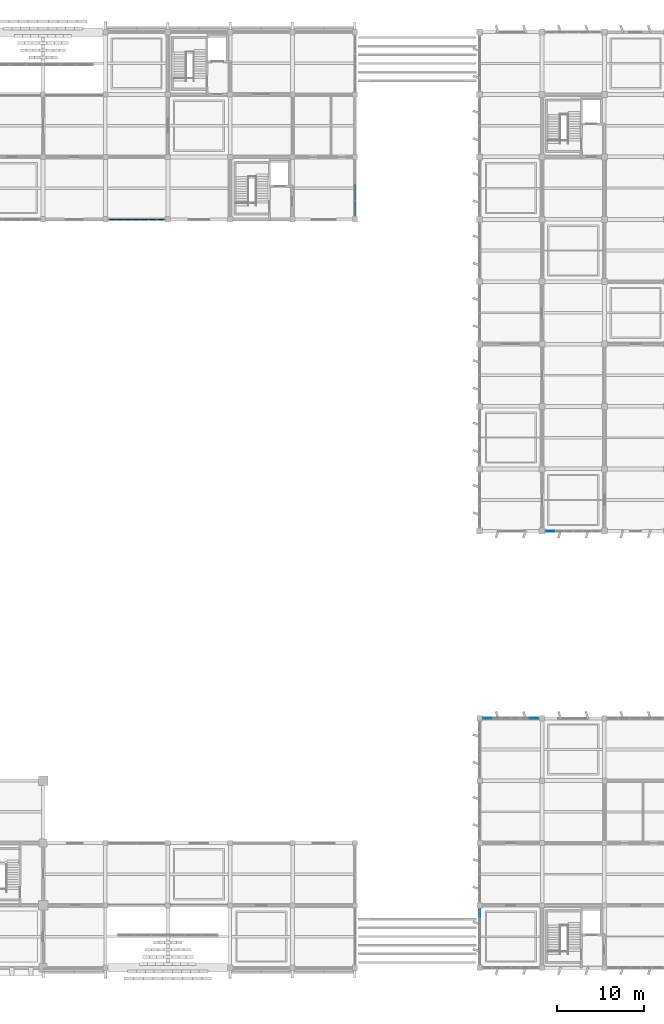
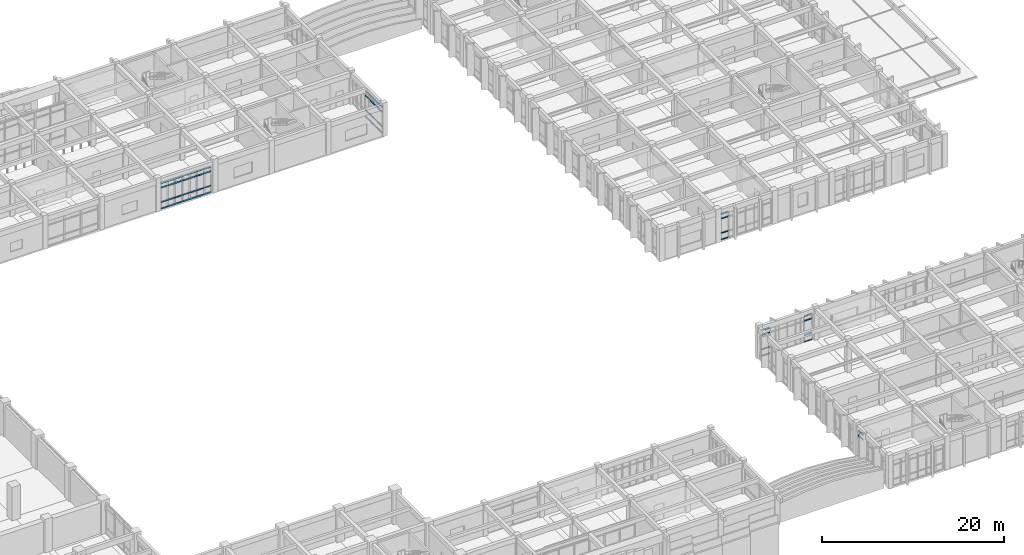
# One storey, part 36 of 81: 58 members, 5 elements without a shape of their own.
"""IFC4 building model written with IfcOpenShell, lengths in metres."""

from ifc_helpers import new_model, si_unit, direction, frame, origin, origin_2d, place, context, subcontext, project, spatial, rectangle, extrude, material, layer, layer_set, material_profile, profile_set, type_object, element, aggregate, save


model = new_model("IFC4")

# Units and contexts
model_context = context("Model", 3, precision=1e-05, world=origin(), true_north=direction((0.0, 1.0)))
body_context = subcontext(model_context, "Body", "Model", "MODEL_VIEW")
ifc_project = project(units=[si_unit("LENGTHUNIT", "METRE"), si_unit("AREAUNIT", "SQUARE_METRE"), si_unit("VOLUMEUNIT", "CUBIC_METRE"), si_unit("PLANEANGLEUNIT", "RADIAN"), si_unit("MASSUNIT", "GRAM", prefix="KILO")], contexts=[model_context])

# Site, building, storey
site_placement = place(None, origin())
site = spatial("IfcSite", under=ifc_project, at=site_placement, CompositionType="ELEMENT")
building_placement = place(site_placement, origin())
building = spatial("IfcBuilding", under=site, at=building_placement, Name="Kavelor Marine Aquarium", CompositionType="ELEMENT")
storey_placement = place(building_placement, frame((0.0, 0.0, 4.679931640625)))
storey = spatial("IfcBuildingStorey", under=building, at=storey_placement, Name="L01", CompositionType="ELEMENT", Elevation=4.679931640625)

# Curtain wall, members
ifc_material_1 = material(Name="Thermally Broken Aluminium and Low-E Glass", Category="aluminium")
ifc_layer_1 = layer(ifc_material_1, 0.14794921875)
ifc_layer_set_1 = layer_set([ifc_layer_1], Name="CW-SYS1")
curtain_wall_type_1 = type_object("IfcCurtainWallType", Name="CW-SYS1", PredefinedType="USERDEFINED", material=ifc_layer_set_1)
curtain_wall_1_placement = place(storey_placement, origin())
curtain_wall_1 = element("IfcCurtainWall", 1, at=curtain_wall_1_placement, inside=storey, type_object=curtain_wall_type_1, Name="cw:x:L01:10_12", ObjectType="Curtain Wall", PredefinedType="USERDEFINED")
ifc_material_2 = material(Name="Anodised Aluminium Alloy 6063-T6", Category="aluminium")
ifc_material_profile_1 = material_profile(ifc_material_2, rectangle(XDim=0.074951171875, YDim=0.14990234375, at=origin_2d()), Name="CW-TRN 75x150")
ifc_profile_set_1 = profile_set([ifc_material_profile_1], Name="Anodised Aluminium Alloy 6063-T6")
member_type_1 = type_object("IfcMemberType", Name="CWT-1", PredefinedType="USERDEFINED", material=ifc_profile_set_1)
member_1_placement = place(storey_placement, frame((81.97998046875, 89.199951171875, 0.03759765625), z_axis=(-1.0, 0.0, 0.0), x_axis=(0.0, -1.0, 0.0)))
member_1 = element("IfcMember", 2, at=member_1_placement, type_object=member_type_1, Name="CW01 transom 1.1", ObjectType="TRANSOM", PredefinedType="USERDEFINED", context=body_context, shape_type="SweptSolid", body=[
    extrude(rectangle(XDim=0.074951171875, YDim=0.14990234375, at=origin_2d()), origin(), (0.0, 0.0, 1.0), 0.8173828125),
])
member_2_placement = place(storey_placement, frame((81.97998046875, 89.199951171875, 0.900146484375), z_axis=(-1.0, 0.0, 0.0), x_axis=(0.0, -1.0, 0.0)))
member_2 = element("IfcMember", 3, at=member_2_placement, type_object=member_type_1, Name="CW01 transom 1.2", ObjectType="TRANSOM", PredefinedType="USERDEFINED", context=body_context, shape_type="SweptSolid", body=[
    extrude(rectangle(XDim=0.074951171875, YDim=0.14990234375, at=origin_2d()), origin(), (0.0, 0.0, 1.0), 0.8173828125),
])
member_3_placement = place(storey_placement, frame((81.97998046875, 89.199951171875, 2.840087890625), z_axis=(-1.0, 0.0, 0.0), x_axis=(0.0, -1.0, 0.0)))
member_3 = element("IfcMember", 4, at=member_3_placement, type_object=member_type_1, Name="CW01 transom 1.3", ObjectType="TRANSOM", PredefinedType="USERDEFINED", context=body_context, shape_type="SweptSolid", body=[
    extrude(rectangle(XDim=0.074951171875, YDim=0.14990234375, at=origin_2d()), origin(), (0.0, 0.0, 1.0), 0.8173828125),
])
member_4_placement = place(storey_placement, frame((81.97998046875, 89.199951171875, 3.45263671875), z_axis=(-1.0, 0.0, 0.0), x_axis=(0.0, -1.0, 0.0)))
member_4 = element("IfcMember", 5, at=member_4_placement, type_object=member_type_1, Name="CW01 transom 1.4", ObjectType="TRANSOM", PredefinedType="USERDEFINED", context=body_context, shape_type="SweptSolid", body=[
    extrude(rectangle(XDim=0.074951171875, YDim=0.14990234375, at=origin_2d()), origin(), (0.0, 0.0, 1.0), 0.8173828125),
])
member_5_placement = place(storey_placement, frame((81.08740234375, 89.199951171875, 0.03759765625), z_axis=(-1.0, 0.0, 0.0), x_axis=(0.0, -1.0, 0.0)))
member_5 = element("IfcMember", 6, at=member_5_placement, type_object=member_type_1, Name="CW01 transom 2.1", ObjectType="TRANSOM", PredefinedType="USERDEFINED", context=body_context, shape_type="SweptSolid", body=[
    extrude(rectangle(XDim=0.074951171875, YDim=0.14990234375, at=origin_2d()), origin(), (0.0, 0.0, 1.0), 0.85498046875),
])
member_6_placement = place(storey_placement, frame((81.08740234375, 89.199951171875, 0.900146484375), z_axis=(-1.0, 0.0, 0.0), x_axis=(0.0, -1.0, 0.0)))
member_6 = element("IfcMember", 7, at=member_6_placement, type_object=member_type_1, Name="CW01 transom 2.2", ObjectType="TRANSOM", PredefinedType="USERDEFINED", context=body_context, shape_type="SweptSolid", body=[
    extrude(rectangle(XDim=0.074951171875, YDim=0.14990234375, at=origin_2d()), origin(), (0.0, 0.0, 1.0), 0.85498046875),
])
member_7_placement = place(storey_placement, frame((81.08740234375, 89.199951171875, 2.840087890625), z_axis=(-1.0, 0.0, 0.0), x_axis=(0.0, -1.0, 0.0)))
member_7 = element("IfcMember", 8, at=member_7_placement, type_object=member_type_1, Name="CW01 transom 2.3", ObjectType="TRANSOM", PredefinedType="USERDEFINED", context=body_context, shape_type="SweptSolid", body=[
    extrude(rectangle(XDim=0.074951171875, YDim=0.14990234375, at=origin_2d()), origin(), (0.0, 0.0, 1.0), 0.85498046875),
])
member_8_placement = place(storey_placement, frame((81.08740234375, 89.199951171875, 3.45263671875), z_axis=(-1.0, 0.0, 0.0), x_axis=(0.0, -1.0, 0.0)))
member_8 = element("IfcMember", 9, at=member_8_placement, type_object=member_type_1, Name="CW01 transom 2.4", ObjectType="TRANSOM", PredefinedType="USERDEFINED", context=body_context, shape_type="SweptSolid", body=[
    extrude(rectangle(XDim=0.074951171875, YDim=0.14990234375, at=origin_2d()), origin(), (0.0, 0.0, 1.0), 0.85498046875),
])
member_9_placement = place(storey_placement, frame((80.157470703125, 89.199951171875, 0.03759765625), z_axis=(-1.0, 0.0, 0.0), x_axis=(0.0, -1.0, 0.0)))
member_9 = element("IfcMember", 10, at=member_9_placement, type_object=member_type_1, Name="CW01 transom 3.1", ObjectType="TRANSOM", PredefinedType="USERDEFINED", context=body_context, shape_type="SweptSolid", body=[
    extrude(rectangle(XDim=0.074951171875, YDim=0.14990234375, at=origin_2d()), origin(), (0.0, 0.0, 1.0), 0.85498046875),
])
member_10_placement = place(storey_placement, frame((80.157470703125, 89.199951171875, 0.900146484375), z_axis=(-1.0, 0.0, 0.0), x_axis=(0.0, -1.0, 0.0)))
member_10 = element("IfcMember", 11, at=member_10_placement, type_object=member_type_1, Name="CW01 transom 3.2", ObjectType="TRANSOM", PredefinedType="USERDEFINED", context=body_context, shape_type="SweptSolid", body=[
    extrude(rectangle(XDim=0.074951171875, YDim=0.14990234375, at=origin_2d()), origin(), (0.0, 0.0, 1.0), 0.85498046875),
])
member_11_placement = place(storey_placement, frame((80.157470703125, 89.199951171875, 2.840087890625), z_axis=(-1.0, 0.0, 0.0), x_axis=(0.0, -1.0, 0.0)))
member_11 = element("IfcMember", 12, at=member_11_placement, type_object=member_type_1, Name="CW01 transom 3.3", ObjectType="TRANSOM", PredefinedType="USERDEFINED", context=body_context, shape_type="SweptSolid", body=[
    extrude(rectangle(XDim=0.074951171875, YDim=0.14990234375, at=origin_2d()), origin(), (0.0, 0.0, 1.0), 0.85498046875),
])
member_12_placement = place(storey_placement, frame((80.157470703125, 89.199951171875, 3.45263671875), z_axis=(-1.0, 0.0, 0.0), x_axis=(0.0, -1.0, 0.0)))
member_12 = element("IfcMember", 13, at=member_12_placement, type_object=member_type_1, Name="CW01 transom 3.4", ObjectType="TRANSOM", PredefinedType="USERDEFINED", context=body_context, shape_type="SweptSolid", body=[
    extrude(rectangle(XDim=0.074951171875, YDim=0.14990234375, at=origin_2d()), origin(), (0.0, 0.0, 1.0), 0.85498046875),
])
member_13_placement = place(storey_placement, frame((79.2275390625, 89.199951171875, 0.03759765625), z_axis=(-1.0, 0.0, 0.0), x_axis=(0.0, -1.0, 0.0)))
member_13 = element("IfcMember", 14, at=member_13_placement, type_object=member_type_1, Name="CW01 transom 4.1", ObjectType="TRANSOM", PredefinedType="USERDEFINED", context=body_context, shape_type="SweptSolid", body=[
    extrude(rectangle(XDim=0.074951171875, YDim=0.14990234375, at=origin_2d()), origin(), (0.0, 0.0, 1.0), 0.85498046875),
])
member_14_placement = place(storey_placement, frame((79.2275390625, 89.199951171875, 0.900146484375), z_axis=(-1.0, 0.0, 0.0), x_axis=(0.0, -1.0, 0.0)))
member_14 = element("IfcMember", 15, at=member_14_placement, type_object=member_type_1, Name="CW01 transom 4.2", ObjectType="TRANSOM", PredefinedType="USERDEFINED", context=body_context, shape_type="SweptSolid", body=[
    extrude(rectangle(XDim=0.074951171875, YDim=0.14990234375, at=origin_2d()), origin(), (0.0, 0.0, 1.0), 0.85498046875),
])
member_15_placement = place(storey_placement, frame((79.2275390625, 89.199951171875, 2.840087890625), z_axis=(-1.0, 0.0, 0.0), x_axis=(0.0, -1.0, 0.0)))
member_15 = element("IfcMember", 16, at=member_15_placement, type_object=member_type_1, Name="CW01 transom 4.3", ObjectType="TRANSOM", PredefinedType="USERDEFINED", context=body_context, shape_type="SweptSolid", body=[
    extrude(rectangle(XDim=0.074951171875, YDim=0.14990234375, at=origin_2d()), origin(), (0.0, 0.0, 1.0), 0.85498046875),
])
member_16_placement = place(storey_placement, frame((79.2275390625, 89.199951171875, 3.45263671875), z_axis=(-1.0, 0.0, 0.0), x_axis=(0.0, -1.0, 0.0)))
member_16 = element("IfcMember", 17, at=member_16_placement, type_object=member_type_1, Name="CW01 transom 4.4", ObjectType="TRANSOM", PredefinedType="USERDEFINED", context=body_context, shape_type="SweptSolid", body=[
    extrude(rectangle(XDim=0.074951171875, YDim=0.14990234375, at=origin_2d()), origin(), (0.0, 0.0, 1.0), 0.85498046875),
])
member_17_placement = place(storey_placement, frame((78.297607421875, 89.199951171875, 0.03759765625), z_axis=(-1.0, 0.0, 0.0), x_axis=(0.0, -1.0, 0.0)))
member_17 = element("IfcMember", 18, at=member_17_placement, type_object=member_type_1, Name="CW01 transom 5.1", ObjectType="TRANSOM", PredefinedType="USERDEFINED", context=body_context, shape_type="SweptSolid", body=[
    extrude(rectangle(XDim=0.074951171875, YDim=0.14990234375, at=origin_2d()), origin(), (0.0, 0.0, 1.0), 0.855224609375),
])
member_18_placement = place(storey_placement, frame((78.297607421875, 89.199951171875, 0.900146484375), z_axis=(-1.0, 0.0, 0.0), x_axis=(0.0, -1.0, 0.0)))
member_18 = element("IfcMember", 19, at=member_18_placement, type_object=member_type_1, Name="CW01 transom 5.2", ObjectType="TRANSOM", PredefinedType="USERDEFINED", context=body_context, shape_type="SweptSolid", body=[
    extrude(rectangle(XDim=0.074951171875, YDim=0.14990234375, at=origin_2d()), origin(), (0.0, 0.0, 1.0), 0.855224609375),
])
member_19_placement = place(storey_placement, frame((78.297607421875, 89.199951171875, 2.840087890625), z_axis=(-1.0, 0.0, 0.0), x_axis=(0.0, -1.0, 0.0)))
member_19 = element("IfcMember", 20, at=member_19_placement, type_object=member_type_1, Name="CW01 transom 5.3", ObjectType="TRANSOM", PredefinedType="USERDEFINED", context=body_context, shape_type="SweptSolid", body=[
    extrude(rectangle(XDim=0.074951171875, YDim=0.14990234375, at=origin_2d()), origin(), (0.0, 0.0, 1.0), 0.855224609375),
])
member_20_placement = place(storey_placement, frame((78.297607421875, 89.199951171875, 3.45263671875), z_axis=(-1.0, 0.0, 0.0), x_axis=(0.0, -1.0, 0.0)))
member_20 = element("IfcMember", 21, at=member_20_placement, type_object=member_type_1, Name="CW01 transom 5.4", ObjectType="TRANSOM", PredefinedType="USERDEFINED", context=body_context, shape_type="SweptSolid", body=[
    extrude(rectangle(XDim=0.074951171875, YDim=0.14990234375, at=origin_2d()), origin(), (0.0, 0.0, 1.0), 0.855224609375),
])
member_21_placement = place(storey_placement, frame((77.367431640625, 89.199951171875, 0.03759765625), z_axis=(-1.0, 0.0, 0.0), x_axis=(0.0, -1.0, 0.0)))
member_21 = element("IfcMember", 22, at=member_21_placement, type_object=member_type_1, Name="CW01 transom 6.1", ObjectType="TRANSOM", PredefinedType="USERDEFINED", context=body_context, shape_type="SweptSolid", body=[
    extrude(rectangle(XDim=0.074951171875, YDim=0.14990234375, at=origin_2d()), origin(), (0.0, 0.0, 1.0), 0.85498046875),
])
member_22_placement = place(storey_placement, frame((77.367431640625, 89.199951171875, 0.900146484375), z_axis=(-1.0, 0.0, 0.0), x_axis=(0.0, -1.0, 0.0)))
member_22 = element("IfcMember", 23, at=member_22_placement, type_object=member_type_1, Name="CW01 transom 6.2", ObjectType="TRANSOM", PredefinedType="USERDEFINED", context=body_context, shape_type="SweptSolid", body=[
    extrude(rectangle(XDim=0.074951171875, YDim=0.14990234375, at=origin_2d()), origin(), (0.0, 0.0, 1.0), 0.85498046875),
])
member_23_placement = place(storey_placement, frame((77.367431640625, 89.199951171875, 2.840087890625), z_axis=(-1.0, 0.0, 0.0), x_axis=(0.0, -1.0, 0.0)))
member_23 = element("IfcMember", 24, at=member_23_placement, type_object=member_type_1, Name="CW01 transom 6.3", ObjectType="TRANSOM", PredefinedType="USERDEFINED", context=body_context, shape_type="SweptSolid", body=[
    extrude(rectangle(XDim=0.074951171875, YDim=0.14990234375, at=origin_2d()), origin(), (0.0, 0.0, 1.0), 0.85498046875),
])
member_24_placement = place(storey_placement, frame((77.367431640625, 89.199951171875, 3.45263671875), z_axis=(-1.0, 0.0, 0.0), x_axis=(0.0, -1.0, 0.0)))
member_24 = element("IfcMember", 25, at=member_24_placement, type_object=member_type_1, Name="CW01 transom 6.4", ObjectType="TRANSOM", PredefinedType="USERDEFINED", context=body_context, shape_type="SweptSolid", body=[
    extrude(rectangle(XDim=0.074951171875, YDim=0.14990234375, at=origin_2d()), origin(), (0.0, 0.0, 1.0), 0.85498046875),
])
member_25_placement = place(storey_placement, frame((76.4375, 89.199951171875, 0.03759765625), z_axis=(-1.0, 0.0, 0.0), x_axis=(0.0, -1.0, 0.0)))
member_25 = element("IfcMember", 26, at=member_25_placement, type_object=member_type_1, Name="CW01 transom 7.1", ObjectType="TRANSOM", PredefinedType="USERDEFINED", context=body_context, shape_type="SweptSolid", body=[
    extrude(rectangle(XDim=0.074951171875, YDim=0.14990234375, at=origin_2d()), origin(), (0.0, 0.0, 1.0), 0.8173828125),
])
member_26_placement = place(storey_placement, frame((76.4375, 89.199951171875, 0.900146484375), z_axis=(-1.0, 0.0, 0.0), x_axis=(0.0, -1.0, 0.0)))
member_26 = element("IfcMember", 27, at=member_26_placement, type_object=member_type_1, Name="CW01 transom 7.2", ObjectType="TRANSOM", PredefinedType="USERDEFINED", context=body_context, shape_type="SweptSolid", body=[
    extrude(rectangle(XDim=0.074951171875, YDim=0.14990234375, at=origin_2d()), origin(), (0.0, 0.0, 1.0), 0.8173828125),
])
member_27_placement = place(storey_placement, frame((76.4375, 89.199951171875, 2.840087890625), z_axis=(-1.0, 0.0, 0.0), x_axis=(0.0, -1.0, 0.0)))
member_27 = element("IfcMember", 28, at=member_27_placement, type_object=member_type_1, Name="CW01 transom 7.3", ObjectType="TRANSOM", PredefinedType="USERDEFINED", context=body_context, shape_type="SweptSolid", body=[
    extrude(rectangle(XDim=0.074951171875, YDim=0.14990234375, at=origin_2d()), origin(), (0.0, 0.0, 1.0), 0.8173828125),
])
member_28_placement = place(storey_placement, frame((76.4375, 89.199951171875, 3.45263671875), z_axis=(-1.0, 0.0, 0.0), x_axis=(0.0, -1.0, 0.0)))
member_28 = element("IfcMember", 29, at=member_28_placement, type_object=member_type_1, Name="CW01 transom 7.4", ObjectType="TRANSOM", PredefinedType="USERDEFINED", context=body_context, shape_type="SweptSolid", body=[
    extrude(rectangle(XDim=0.074951171875, YDim=0.14990234375, at=origin_2d()), origin(), (0.0, 0.0, 1.0), 0.8173828125),
])
aggregate(curtain_wall_1, [member_1, member_2, member_3, member_4, member_5, member_6, member_7, member_8, member_9, member_10, member_11, member_12, member_13, member_14, member_15, member_16, member_17, member_18, member_19, member_20, member_21, member_22, member_23, member_24, member_25, member_26, member_27, member_28])

ifc_material_3 = material(Name="Thermally Broken Aluminium and Low-E Glass", Category="aluminium")
ifc_layer_2 = layer(ifc_material_3, 0.156005859375)
ifc_layer_set_2 = layer_set([ifc_layer_2], Name="CW-SYS2")
curtain_wall_type_2 = type_object("IfcCurtainWallType", Name="CW-SYS2", PredefinedType="USERDEFINED", material=ifc_layer_set_2)
curtain_wall_2_placement = place(storey_placement, origin())
curtain_wall_2 = element("IfcCurtainWall", 30, at=curtain_wall_2_placement, inside=storey, type_object=curtain_wall_type_2, Name="cw:y:L01:14_12", ObjectType="Curtain Wall", PredefinedType="USERDEFINED")
ifc_material_4 = material(Name="Anodised Aluminium Alloy 6063-T6", Category="aluminium")
ifc_material_profile_2 = material_profile(ifc_material_4, rectangle(XDim=0.080078125, YDim=0.155029296875, at=origin_2d()), Name="CW-TRN 80x155")
ifc_profile_set_2 = profile_set([ifc_material_profile_2], Name="Anodised Aluminium Alloy 6063-T6")
member_type_2 = type_object("IfcMemberType", Name="CWT-2", PredefinedType="USERDEFINED", material=ifc_profile_set_2)
member_29_placement = place(storey_placement, frame((104.0, 89.610107421875, 0.032470703125), z_axis=(0.0, 1.0, 0.0), x_axis=(-1.0, 0.0, 0.0)))
member_29 = element("IfcMember", 31, at=member_29_placement, type_object=member_type_2, Name="CW02 transom 1.1", ObjectType="TRANSOM", PredefinedType="USERDEFINED", context=body_context, shape_type="SweptSolid", body=[
    extrude(rectangle(XDim=0.080078125, YDim=0.155029296875, at=origin_2d()), origin(), (0.0, 0.0, 1.0), 0.832275390625),
])
member_30_placement = place(storey_placement, frame((104.0, 89.610107421875, 0.900146484375), z_axis=(0.0, 1.0, 0.0), x_axis=(-1.0, 0.0, 0.0)))
member_30 = element("IfcMember", 32, at=member_30_placement, type_object=member_type_2, Name="CW02 transom 1.2", ObjectType="TRANSOM", PredefinedType="USERDEFINED", context=body_context, shape_type="SweptSolid", body=[
    extrude(rectangle(XDim=0.080078125, YDim=0.155029296875, at=origin_2d()), origin(), (0.0, 0.0, 1.0), 0.832275390625),
])
member_31_placement = place(storey_placement, frame((104.0, 89.610107421875, 2.860107421875), z_axis=(0.0, 1.0, 0.0), x_axis=(-1.0, 0.0, 0.0)))
member_31 = element("IfcMember", 33, at=member_31_placement, type_object=member_type_2, Name="CW02 transom 1.3", ObjectType="TRANSOM", PredefinedType="USERDEFINED", context=body_context, shape_type="SweptSolid", body=[
    extrude(rectangle(XDim=0.080078125, YDim=0.155029296875, at=origin_2d()), origin(), (0.0, 0.0, 1.0), 0.832275390625),
])
member_32_placement = place(storey_placement, frame((104.0, 89.610107421875, 3.4775390625), z_axis=(0.0, 1.0, 0.0), x_axis=(-1.0, 0.0, 0.0)))
member_32 = element("IfcMember", 34, at=member_32_placement, type_object=member_type_2, Name="CW02 transom 1.4", ObjectType="TRANSOM", PredefinedType="USERDEFINED", context=body_context, shape_type="SweptSolid", body=[
    extrude(rectangle(XDim=0.080078125, YDim=0.155029296875, at=origin_2d()), origin(), (0.0, 0.0, 1.0), 0.832275390625),
])
member_33_placement = place(storey_placement, frame((104.0, 90.507568359375, 0.032470703125), z_axis=(0.0, 1.0, 0.0), x_axis=(-1.0, 0.0, 0.0)))
member_33 = element("IfcMember", 35, at=member_33_placement, type_object=member_type_2, Name="CW02 transom 2.1", ObjectType="TRANSOM", PredefinedType="USERDEFINED", context=body_context, shape_type="SweptSolid", body=[
    extrude(rectangle(XDim=0.080078125, YDim=0.155029296875, at=origin_2d()), origin(), (0.0, 0.0, 1.0), 0.864990234375),
])
member_34_placement = place(storey_placement, frame((104.0, 90.507568359375, 0.900146484375), z_axis=(0.0, 1.0, 0.0), x_axis=(-1.0, 0.0, 0.0)))
member_34 = element("IfcMember", 36, at=member_34_placement, type_object=member_type_2, Name="CW02 transom 2.2", ObjectType="TRANSOM", PredefinedType="USERDEFINED", context=body_context, shape_type="SweptSolid", body=[
    extrude(rectangle(XDim=0.080078125, YDim=0.155029296875, at=origin_2d()), origin(), (0.0, 0.0, 1.0), 0.864990234375),
])
member_35_placement = place(storey_placement, frame((104.0, 90.507568359375, 2.860107421875), z_axis=(0.0, 1.0, 0.0), x_axis=(-1.0, 0.0, 0.0)))
member_35 = element("IfcMember", 37, at=member_35_placement, type_object=member_type_2, Name="CW02 transom 2.3", ObjectType="TRANSOM", PredefinedType="USERDEFINED", context=body_context, shape_type="SweptSolid", body=[
    extrude(rectangle(XDim=0.080078125, YDim=0.155029296875, at=origin_2d()), origin(), (0.0, 0.0, 1.0), 0.864990234375),
])
member_36_placement = place(storey_placement, frame((104.0, 90.507568359375, 3.4775390625), z_axis=(0.0, 1.0, 0.0), x_axis=(-1.0, 0.0, 0.0)))
member_36 = element("IfcMember", 38, at=member_36_placement, type_object=member_type_2, Name="CW02 transom 2.4", ObjectType="TRANSOM", PredefinedType="USERDEFINED", context=body_context, shape_type="SweptSolid", body=[
    extrude(rectangle(XDim=0.080078125, YDim=0.155029296875, at=origin_2d()), origin(), (0.0, 0.0, 1.0), 0.864990234375),
])
member_37_placement = place(storey_placement, frame((104.0, 91.4375, 0.032470703125), z_axis=(0.0, 1.0, 0.0), x_axis=(-1.0, 0.0, 0.0)))
member_37 = element("IfcMember", 39, at=member_37_placement, type_object=member_type_2, Name="CW02 transom 3.1", ObjectType="TRANSOM", PredefinedType="USERDEFINED", context=body_context, shape_type="SweptSolid", body=[
    extrude(rectangle(XDim=0.080078125, YDim=0.155029296875, at=origin_2d()), origin(), (0.0, 0.0, 1.0), 0.864990234375),
])
member_38_placement = place(storey_placement, frame((104.0, 91.4375, 0.900146484375), z_axis=(0.0, 1.0, 0.0), x_axis=(-1.0, 0.0, 0.0)))
member_38 = element("IfcMember", 40, at=member_38_placement, type_object=member_type_2, Name="CW02 transom 3.2", ObjectType="TRANSOM", PredefinedType="USERDEFINED", context=body_context, shape_type="SweptSolid", body=[
    extrude(rectangle(XDim=0.080078125, YDim=0.155029296875, at=origin_2d()), origin(), (0.0, 0.0, 1.0), 0.864990234375),
])
member_39_placement = place(storey_placement, frame((104.0, 91.4375, 2.860107421875), z_axis=(0.0, 1.0, 0.0), x_axis=(-1.0, 0.0, 0.0)))
member_39 = element("IfcMember", 41, at=member_39_placement, type_object=member_type_2, Name="CW02 transom 3.3", ObjectType="TRANSOM", PredefinedType="USERDEFINED", context=body_context, shape_type="SweptSolid", body=[
    extrude(rectangle(XDim=0.080078125, YDim=0.155029296875, at=origin_2d()), origin(), (0.0, 0.0, 1.0), 0.864990234375),
])
member_40_placement = place(storey_placement, frame((104.0, 91.4375, 3.4775390625), z_axis=(0.0, 1.0, 0.0), x_axis=(-1.0, 0.0, 0.0)))
member_40 = element("IfcMember", 42, at=member_40_placement, type_object=member_type_2, Name="CW02 transom 3.4", ObjectType="TRANSOM", PredefinedType="USERDEFINED", context=body_context, shape_type="SweptSolid", body=[
    extrude(rectangle(XDim=0.080078125, YDim=0.155029296875, at=origin_2d()), origin(), (0.0, 0.0, 1.0), 0.864990234375),
])
member_41_placement = place(storey_placement, frame((104.0, 92.367431640625, 0.032470703125), z_axis=(0.0, 1.0, 0.0), x_axis=(-1.0, 0.0, 0.0)))
member_41 = element("IfcMember", 43, at=member_41_placement, type_object=member_type_2, Name="CW02 transom 4.1", ObjectType="TRANSOM", PredefinedType="USERDEFINED", context=body_context, shape_type="SweptSolid", body=[
    extrude(rectangle(XDim=0.080078125, YDim=0.155029296875, at=origin_2d()), origin(), (0.0, 0.0, 1.0), 0.864990234375),
])
member_42_placement = place(storey_placement, frame((104.0, 92.367431640625, 0.900146484375), z_axis=(0.0, 1.0, 0.0), x_axis=(-1.0, 0.0, 0.0)))
member_42 = element("IfcMember", 44, at=member_42_placement, type_object=member_type_2, Name="CW02 transom 4.2", ObjectType="TRANSOM", PredefinedType="USERDEFINED", context=body_context, shape_type="SweptSolid", body=[
    extrude(rectangle(XDim=0.080078125, YDim=0.155029296875, at=origin_2d()), origin(), (0.0, 0.0, 1.0), 0.864990234375),
])
member_43_placement = place(storey_placement, frame((104.0, 92.367431640625, 2.860107421875), z_axis=(0.0, 1.0, 0.0), x_axis=(-1.0, 0.0, 0.0)))
member_43 = element("IfcMember", 45, at=member_43_placement, type_object=member_type_2, Name="CW02 transom 4.3", ObjectType="TRANSOM", PredefinedType="USERDEFINED", context=body_context, shape_type="SweptSolid", body=[
    extrude(rectangle(XDim=0.080078125, YDim=0.155029296875, at=origin_2d()), origin(), (0.0, 0.0, 1.0), 0.864990234375),
])
member_44_placement = place(storey_placement, frame((104.0, 92.367431640625, 3.4775390625), z_axis=(0.0, 1.0, 0.0), x_axis=(-1.0, 0.0, 0.0)))
member_44 = element("IfcMember", 46, at=member_44_placement, type_object=member_type_2, Name="CW02 transom 4.4", ObjectType="TRANSOM", PredefinedType="USERDEFINED", context=body_context, shape_type="SweptSolid", body=[
    extrude(rectangle(XDim=0.080078125, YDim=0.155029296875, at=origin_2d()), origin(), (0.0, 0.0, 1.0), 0.864990234375),
])
aggregate(curtain_wall_2, [member_29, member_30, member_31, member_32, member_33, member_34, member_35, member_36, member_37, member_38, member_39, member_40, member_41, member_42, member_43, member_44])

ifc_material_5 = material(Name="Thermally Broken Aluminium and Low-E Glass", Category="aluminium")
ifc_layer_3 = layer(ifc_material_5, 0.172119140625)
ifc_layer_set_3 = layer_set([ifc_layer_3], Name="CW-SYS4")
curtain_wall_type_3 = type_object("IfcCurtainWallType", Name="CW-SYS4", PredefinedType="USERDEFINED", material=ifc_layer_set_3)
curtain_wall_3_placement = place(storey_placement, origin())
curtain_wall_3 = element("IfcCurtainWall", 47, at=curtain_wall_3_placement, inside=storey, type_object=curtain_wall_type_3, Name="cw:x:L01:16_04", ObjectType="Curtain Wall", PredefinedType="USERDEFINED")
ifc_material_6 = material(Name="Anodised Aluminium Alloy 6063-T6", Category="aluminium")
ifc_material_profile_3 = material_profile(ifc_material_6, rectangle(XDim=0.0849609375, YDim=0.159912109375, at=origin_2d()), Name="CW-TRN 85x160")
ifc_profile_set_3 = profile_set([ifc_material_profile_3], Name="Anodised Aluminium Alloy 6063-T6")
member_type_3 = type_object("IfcMemberType", Name="CWT-3", PredefinedType="USERDEFINED", material=ifc_profile_set_3)
member_45_placement = place(storey_placement, frame((118.820068359375, 31.60009765625, 0.030029296875), z_axis=(1.0, 0.0, 0.0), x_axis=(0.0, 1.0, 0.0)))
member_45 = element("IfcMember", 48, at=member_45_placement, type_object=member_type_3, Name="CW04 transom 1.1", ObjectType="TRANSOM", PredefinedType="USERDEFINED", context=body_context, shape_type="SweptSolid", body=[
    extrude(rectangle(XDim=0.0849609375, YDim=0.159912109375, at=origin_2d()), origin(), (0.0, 0.0, 1.0), 0.972412109375),
])
member_46_placement = place(storey_placement, frame((118.820068359375, 31.60009765625, 0.900146484375), z_axis=(1.0, 0.0, 0.0), x_axis=(0.0, 1.0, 0.0)))
member_46 = element("IfcMember", 49, at=member_46_placement, type_object=member_type_3, Name="CW04 transom 1.2", ObjectType="TRANSOM", PredefinedType="USERDEFINED", context=body_context, shape_type="SweptSolid", body=[
    extrude(rectangle(XDim=0.0849609375, YDim=0.159912109375, at=origin_2d()), origin(), (0.0, 0.0, 1.0), 0.972412109375),
])
member_47_placement = place(storey_placement, frame((118.820068359375, 31.60009765625, 2.860107421875), z_axis=(1.0, 0.0, 0.0), x_axis=(0.0, 1.0, 0.0)))
member_47 = element("IfcMember", 50, at=member_47_placement, type_object=member_type_3, Name="CW04 transom 1.3", ObjectType="TRANSOM", PredefinedType="USERDEFINED", context=body_context, shape_type="SweptSolid", body=[
    extrude(rectangle(XDim=0.0849609375, YDim=0.159912109375, at=origin_2d()), origin(), (0.0, 0.0, 1.0), 0.972412109375),
])
member_48_placement = place(storey_placement, frame((118.820068359375, 31.60009765625, 3.47998046875), z_axis=(1.0, 0.0, 0.0), x_axis=(0.0, 1.0, 0.0)))
member_48 = element("IfcMember", 51, at=member_48_placement, type_object=member_type_3, Name="CW04 transom 1.4", ObjectType="TRANSOM", PredefinedType="USERDEFINED", context=body_context, shape_type="SweptSolid", body=[
    extrude(rectangle(XDim=0.0849609375, YDim=0.159912109375, at=origin_2d()), origin(), (0.0, 0.0, 1.0), 0.972412109375),
])
member_49_placement = place(storey_placement, frame((124.20751953125, 31.60009765625, 0.030029296875), z_axis=(1.0, 0.0, 0.0), x_axis=(0.0, 1.0, 0.0)))
member_49 = element("IfcMember", 52, at=member_49_placement, type_object=member_type_3, Name="CW04 transom 6.1", ObjectType="TRANSOM", PredefinedType="USERDEFINED", context=body_context, shape_type="SweptSolid", body=[
    extrude(rectangle(XDim=0.0849609375, YDim=0.159912109375, at=origin_2d()), origin(), (0.0, 0.0, 1.0), 0.972412109375),
])
member_50_placement = place(storey_placement, frame((124.20751953125, 31.60009765625, 0.900146484375), z_axis=(1.0, 0.0, 0.0), x_axis=(0.0, 1.0, 0.0)))
member_50 = element("IfcMember", 53, at=member_50_placement, type_object=member_type_3, Name="CW04 transom 6.2", ObjectType="TRANSOM", PredefinedType="USERDEFINED", context=body_context, shape_type="SweptSolid", body=[
    extrude(rectangle(XDim=0.0849609375, YDim=0.159912109375, at=origin_2d()), origin(), (0.0, 0.0, 1.0), 0.972412109375),
])
member_51_placement = place(storey_placement, frame((124.20751953125, 31.60009765625, 2.860107421875), z_axis=(1.0, 0.0, 0.0), x_axis=(0.0, 1.0, 0.0)))
member_51 = element("IfcMember", 54, at=member_51_placement, type_object=member_type_3, Name="CW04 transom 6.3", ObjectType="TRANSOM", PredefinedType="USERDEFINED", context=body_context, shape_type="SweptSolid", body=[
    extrude(rectangle(XDim=0.0849609375, YDim=0.159912109375, at=origin_2d()), origin(), (0.0, 0.0, 1.0), 0.972412109375),
])
member_52_placement = place(storey_placement, frame((124.20751953125, 31.60009765625, 3.47998046875), z_axis=(1.0, 0.0, 0.0), x_axis=(0.0, 1.0, 0.0)))
member_52 = element("IfcMember", 55, at=member_52_placement, type_object=member_type_3, Name="CW04 transom 6.4", ObjectType="TRANSOM", PredefinedType="USERDEFINED", context=body_context, shape_type="SweptSolid", body=[
    extrude(rectangle(XDim=0.0849609375, YDim=0.159912109375, at=origin_2d()), origin(), (0.0, 0.0, 1.0), 0.972412109375),
])
aggregate(curtain_wall_3, [member_45, member_46, member_47, member_48, member_49, member_50, member_51, member_52])

ifc_material_7 = material(Name="Thermally Broken Aluminium and Low-E Glass", Category="aluminium")
ifc_layer_4 = layer(ifc_material_7, 0.179931640625)
ifc_layer_set_4 = layer_set([ifc_layer_4], Name="CW-SYS5")
curtain_wall_type_4 = type_object("IfcCurtainWallType", Name="CW-SYS5", PredefinedType="USERDEFINED", material=ifc_layer_set_4)
curtain_wall_4_placement = place(storey_placement, origin())
curtain_wall_4 = element("IfcCurtainWall", 56, at=curtain_wall_4_placement, inside=storey, type_object=curtain_wall_type_4, Name="cw:x:L01:17_07", ObjectType="Curtain Wall", PredefinedType="USERDEFINED")
member_53_placement = place(storey_placement, frame((127.03076171875, 53.199951171875, 0.030029296875), z_axis=(-1.0, 0.0, 0.0), x_axis=(0.0, -1.0, 0.0)))
member_53 = element("IfcMember", 57, at=member_53_placement, type_object=member_type_3, Name="CW05 transom 6.1", ObjectType="TRANSOM", PredefinedType="USERDEFINED", context=body_context, shape_type="SweptSolid", body=[
    extrude(rectangle(XDim=0.0849609375, YDim=0.159912109375, at=origin_2d()), origin(), (0.0, 0.0, 1.0), 0.970703125),
])
member_54_placement = place(storey_placement, frame((127.03076171875, 53.199951171875, 0.900146484375), z_axis=(-1.0, 0.0, 0.0), x_axis=(0.0, -1.0, 0.0)))
member_54 = element("IfcMember", 58, at=member_54_placement, type_object=member_type_3, Name="CW05 transom 6.2", ObjectType="TRANSOM", PredefinedType="USERDEFINED", context=body_context, shape_type="SweptSolid", body=[
    extrude(rectangle(XDim=0.0849609375, YDim=0.159912109375, at=origin_2d()), origin(), (0.0, 0.0, 1.0), 0.970703125),
])
member_55_placement = place(storey_placement, frame((127.03076171875, 53.199951171875, 2.840087890625), z_axis=(-1.0, 0.0, 0.0), x_axis=(0.0, -1.0, 0.0)))
member_55 = element("IfcMember", 59, at=member_55_placement, type_object=member_type_3, Name="CW05 transom 6.3", ObjectType="TRANSOM", PredefinedType="USERDEFINED", context=body_context, shape_type="SweptSolid", body=[
    extrude(rectangle(XDim=0.0849609375, YDim=0.159912109375, at=origin_2d()), origin(), (0.0, 0.0, 1.0), 0.970703125),
])
member_56_placement = place(storey_placement, frame((127.03076171875, 53.199951171875, 3.4599609375), z_axis=(-1.0, 0.0, 0.0), x_axis=(0.0, -1.0, 0.0)))
member_56 = element("IfcMember", 60, at=member_56_placement, type_object=member_type_3, Name="CW05 transom 6.4", ObjectType="TRANSOM", PredefinedType="USERDEFINED", context=body_context, shape_type="SweptSolid", body=[
    extrude(rectangle(XDim=0.0849609375, YDim=0.159912109375, at=origin_2d()), origin(), (0.0, 0.0, 1.0), 0.970703125),
])
aggregate(curtain_wall_4, [member_53, member_54, member_55, member_56])

curtain_wall_5_placement = place(storey_placement, origin())
curtain_wall_5 = element("IfcCurtainWall", 61, at=curtain_wall_5_placement, inside=storey, type_object=curtain_wall_type_3, Name="cw:y:L01:16_00", ObjectType="Curtain Wall", PredefinedType="USERDEFINED")
member_57_placement = place(storey_placement, frame((118.39990234375, 9.580078125, 2.840087890625), z_axis=(0.0, -1.0, 0.0), x_axis=(1.0, 0.0, 0.0)))
member_57 = element("IfcMember", 62, at=member_57_placement, type_object=member_type_3, Name="CW04 transom 1.3", ObjectType="TRANSOM", PredefinedType="USERDEFINED", context=body_context, shape_type="SweptSolid", body=[
    extrude(rectangle(XDim=0.0849609375, YDim=0.159912109375, at=origin_2d()), origin(), (0.0, 0.0, 1.0), 0.97265625),
])
member_58_placement = place(storey_placement, frame((118.39990234375, 9.580078125, 3.4599609375), z_axis=(0.0, -1.0, 0.0), x_axis=(1.0, 0.0, 0.0)))
member_58 = element("IfcMember", 63, at=member_58_placement, type_object=member_type_3, Name="CW04 transom 1.4", ObjectType="TRANSOM", PredefinedType="USERDEFINED", context=body_context, shape_type="SweptSolid", body=[
    extrude(rectangle(XDim=0.0849609375, YDim=0.159912109375, at=origin_2d()), origin(), (0.0, 0.0, 1.0), 0.97265625),
])
aggregate(curtain_wall_5, [member_57, member_58])

save(model, "model.ifc")
